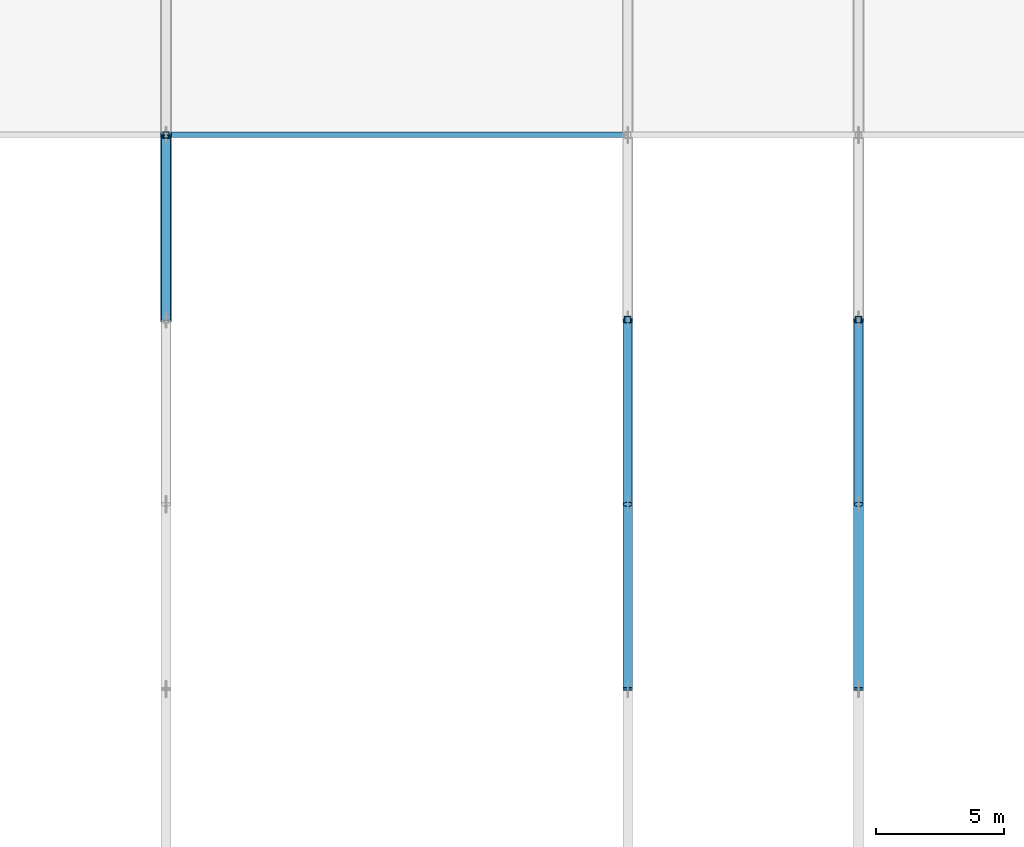
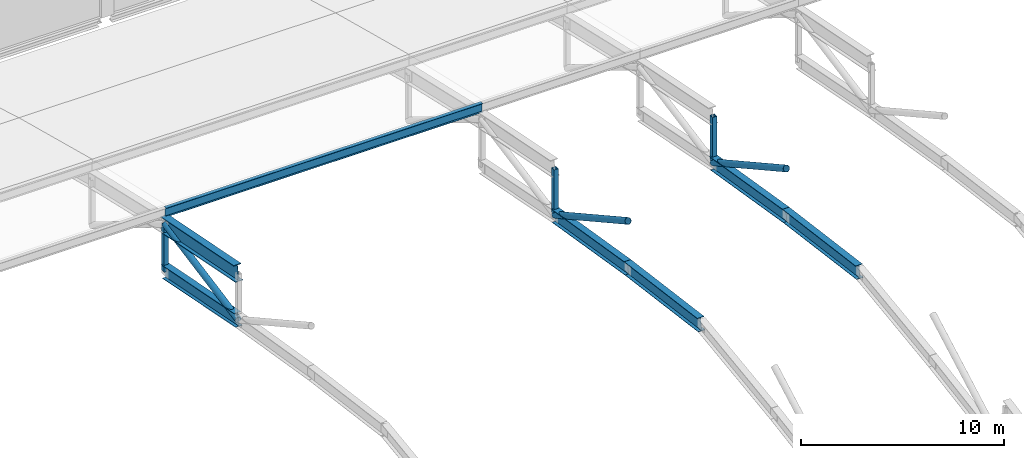
# One storey, part 25 of 124: 13 members.
"""IFC4 building model written with IfcOpenShell, lengths in metres."""

from ifc_helpers import new_model, si_unit, direction, frame, origin, origin_2d, place, context, subcontext, project, spatial, hollow_rectangle, hollow_circle, i_section, extrude, material, material_profile, profile_set, type_object, element, save


model = new_model("IFC4")

# Units and contexts
model_context = context("Model", 3, precision=1e-05, world=origin(), true_north=direction((0.0, 1.0)))
body_context = subcontext(model_context, "Body", "Model", "MODEL_VIEW")
ifc_project = project(units=[si_unit("LENGTHUNIT", "METRE"), si_unit("AREAUNIT", "SQUARE_METRE"), si_unit("VOLUMEUNIT", "CUBIC_METRE"), si_unit("PLANEANGLEUNIT", "RADIAN"), si_unit("MASSUNIT", "GRAM", prefix="KILO")], contexts=[model_context])

# Site, building, storey
site_placement = place(None, origin())
site = spatial("IfcSite", under=ifc_project, at=site_placement, CompositionType="ELEMENT")
building_placement = place(site_placement, origin())
building = spatial("IfcBuilding", under=site, at=building_placement, Name="Celestram Park Convention Centre", CompositionType="ELEMENT")
storey_placement = place(building_placement, frame((0.0, 0.0, 15.300048828125)))
storey = spatial("IfcBuildingStorey", under=building, at=storey_placement, Name="L03", CompositionType="ELEMENT", Elevation=15.300048828125)

# Members
ifc_material_1 = material(Name="Steel ASTM A500 Grade C", Category="steel")
ifc_material_profile_1 = material_profile(ifc_material_1, hollow_circle(Radius=0.177978515625, WallThickness=0.011962890625, at=origin_2d()), Name="CHS356X12")
ifc_profile_set_1 = profile_set([ifc_material_profile_1], Name="Steel ASTM A500 Grade C")
member_type_1 = type_object("IfcMemberType", Name="STR-BRC-CHS356", PredefinedType="BRACE", material=ifc_profile_set_1)
member_1_placement = place(storey_placement, frame((36.0, 79.199951171875, 2.181640625), z_axis=(0.0, 0.982076449011, 0.188483018595), x_axis=(-1.0, 0.0, 0.0)))
element("IfcMember", 1, at=member_1_placement, inside=storey, type_object=member_type_1, Name="V1 arch web diagonal", PredefinedType="BRACE", context=body_context, shape_type="SweptSolid", body=[
    extrude(hollow_circle(Radius=0.177978515625, WallThickness=0.011962890625, at=origin_2d()), origin(), (0.0, 0.0, 1.0), 7.331298828125),
])
for number, where, z_axis, x_axis, name in (
    (2, (54.0, 72.0, 6.170166015625), (0.0, 0.87474706166, -0.484579795407), (-1.0, 0.0, 0.0), "V1 arch web diagonal"),
    (3, (63.0, 72.0, 6.170166015625), (0.0, 0.87474706166, -0.484579795407), (-1.0, 0.0, 0.0), "V1 arch web diagonal"),
):
    element("IfcMember", number, at=place(storey_placement, frame(where, z_axis=z_axis, x_axis=x_axis)), inside=storey, type_object=member_type_1, Name=name, PredefinedType="BRACE", context=body_context, shape_type="SweptSolid", body=[
        extrude(hollow_circle(Radius=0.177978515625, WallThickness=0.011962890625, at=origin_2d()), origin(), (0.0, 0.0, 1.0), 8.23095703125),
    ])
ifc_material_2 = material(Name="Steel ASTM A992 Grade 50", Category="steel")
ifc_material_profile_2 = material_profile(ifc_material_2, i_section(OverallWidth=0.381103515625, OverallDepth=0.77197265625, WebThickness=0.0166015625, FlangeThickness=0.027099609375, at=origin_2d()), Name="W30X173")
ifc_profile_set_2 = profile_set([ifc_material_profile_2], Name="Steel ASTM A992 Grade 50")
member_type_2 = type_object("IfcMemberType", Name="STR-CHD-W30X173", PredefinedType="CHORD", material=ifc_profile_set_2)
member_2_placement = place(storey_placement, frame((36.0, 79.199951171875, 2.181640625), z_axis=(0.0, 0.981147221646, -0.193261815827), x_axis=(-1.0, 0.0, 0.0)))
element("IfcMember", 4, at=member_2_placement, inside=storey, type_object=member_type_2, Name="V1 arch bottom chord", PredefinedType="CHORD", context=body_context, shape_type="SweptSolid", body=[
    extrude(i_section(OverallWidth=0.381103515625, OverallDepth=0.77197265625, WebThickness=0.0166015625, FlangeThickness=0.027099609375, at=origin_2d()), origin(), (0.0, 0.0, 1.0), 7.33837890625),
])
member_3_placement = place(storey_placement, frame((54.0, 64.800048828125, 4.328369140625), z_axis=(0.0, 0.991259283276, -0.131928136952), x_axis=(-1.0, 0.0, 0.0)))
element("IfcMember", 5, at=member_3_placement, inside=storey, type_object=member_type_2, Name="V1 arch bottom chord", PredefinedType="CHORD", context=body_context, shape_type="SweptSolid", body=[
    extrude(i_section(OverallWidth=0.381103515625, OverallDepth=0.77197265625, WebThickness=0.0166015625, FlangeThickness=0.027099609375, at=origin_2d()), origin(), (0.0, 0.0, 1.0), 7.263427734375),
])
member_4_placement = place(storey_placement, frame((54.0, 72.0, 3.3701171875), z_axis=(0.0, 0.986648621514, -0.162863432557), x_axis=(-1.0, 0.0, 0.0)))
element("IfcMember", 6, at=member_4_placement, inside=storey, type_object=member_type_2, Name="V1 arch bottom chord", PredefinedType="CHORD", context=body_context, shape_type="SweptSolid", body=[
    extrude(i_section(OverallWidth=0.381103515625, OverallDepth=0.77197265625, WebThickness=0.0166015625, FlangeThickness=0.027099609375, at=origin_2d()), origin(), (0.0, 0.0, 1.0), 7.29736328125),
])
member_5_placement = place(storey_placement, frame((63.0, 64.800048828125, 4.328369140625), z_axis=(0.0, 0.991259283276, -0.131928136952), x_axis=(-1.0, 0.0, 0.0)))
element("IfcMember", 7, at=member_5_placement, inside=storey, type_object=member_type_2, Name="V1 arch bottom chord", PredefinedType="CHORD", context=body_context, shape_type="SweptSolid", body=[
    extrude(i_section(OverallWidth=0.381103515625, OverallDepth=0.77197265625, WebThickness=0.0166015625, FlangeThickness=0.027099609375, at=origin_2d()), origin(), (0.0, 0.0, 1.0), 7.263427734375),
])
member_6_placement = place(storey_placement, frame((63.0, 72.0, 3.3701171875), z_axis=(0.0, 0.986648621514, -0.162863432557), x_axis=(-1.0, 0.0, 0.0)))
element("IfcMember", 8, at=member_6_placement, inside=storey, type_object=member_type_2, Name="V1 arch bottom chord", PredefinedType="CHORD", context=body_context, shape_type="SweptSolid", body=[
    extrude(i_section(OverallWidth=0.381103515625, OverallDepth=0.77197265625, WebThickness=0.0166015625, FlangeThickness=0.027099609375, at=origin_2d()), origin(), (0.0, 0.0, 1.0), 7.29736328125),
])
ifc_material_profile_3 = material_profile(ifc_material_2, i_section(OverallWidth=0.4189453125, OverallDepth=0.927001953125, WebThickness=0.019287109375, FlangeThickness=0.031982421875, at=origin_2d()), Name="W36X231")
ifc_profile_set_3 = profile_set([ifc_material_profile_3], Name="Steel ASTM A992 Grade 50")
member_type_3 = type_object("IfcMemberType", Name="STR-CHD-W36X231", PredefinedType="CHORD", material=ifc_profile_set_3)
member_7_placement = place(storey_placement, frame((36.0, 79.199951171875, 4.981689453125), z_axis=(0.0, 0.981147221646, -0.193261815827), x_axis=(-1.0, 0.0, 0.0)))
element("IfcMember", 9, at=member_7_placement, inside=storey, type_object=member_type_3, Name="V1 arch top chord", PredefinedType="CHORD", context=body_context, shape_type="SweptSolid", body=[
    extrude(i_section(OverallWidth=0.4189453125, OverallDepth=0.927001953125, WebThickness=0.019287109375, FlangeThickness=0.031982421875, at=origin_2d()), origin(), (0.0, 0.0, 1.0), 7.33837890625),
])
ifc_material_profile_4 = material_profile(ifc_material_2, i_section(OverallWidth=0.2099609375, OverallDepth=0.532958984375, WebThickness=0.01025390625, FlangeThickness=0.015625, at=origin_2d()), Name="W21X62")
ifc_profile_set_4 = profile_set([ifc_material_profile_4], Name="Steel ASTM A992 Grade 50")
member_type_4 = type_object("IfcMemberType", Name="STR-RFT-W21X62", PredefinedType="RAFTER", material=ifc_profile_set_4)
member_8_placement = place(storey_placement, frame((36.0, 86.39990234375, 4.29345703125), z_axis=(1.0, 0.0, 0.0), x_axis=(0.0, 1.0, 0.0)))
element("IfcMember", 10, at=member_8_placement, inside=storey, type_object=member_type_4, Name="V1 roof purlin", PredefinedType="RAFTER", context=body_context, shape_type="SweptSolid", body=[
    extrude(i_section(OverallWidth=0.2099609375, OverallDepth=0.532958984375, WebThickness=0.01025390625, FlangeThickness=0.015625, at=origin_2d()), origin(), (0.0, 0.0, 1.0), 18.0),
])
ifc_material_profile_5 = material_profile(ifc_material_1, hollow_rectangle(XDim=0.25, YDim=0.25, WallThickness=0.011962890625, at=origin_2d()), Name="HSS250X250X12")
ifc_profile_set_5 = profile_set([ifc_material_profile_5], Name="Steel ASTM A500 Grade C")
member_type_5 = type_object("IfcMemberType", Name="STR-STR-HSS250", PredefinedType="STRUT", material=ifc_profile_set_5)
for number, where, z_axis, x_axis, name in (
    (11, (36.0, 86.39990234375, 0.763427734375), (0.0, 0.0, 1.0), (1.0, 0.0, 0.0), "V1 arch vertical strut"),
    (12, (54.0, 79.199951171875, 2.181640625), (0.0, 0.0, 1.0), (1.0, 0.0, 0.0), "V1 arch vertical strut"),
    (13, (63.0, 79.199951171875, 2.181640625), (0.0, 0.0, 1.0), (1.0, 0.0, 0.0), "V1 arch vertical strut"),
):
    element("IfcMember", number, at=place(storey_placement, frame(where, z_axis=z_axis, x_axis=x_axis)), inside=storey, type_object=member_type_5, Name=name, PredefinedType="STRUT", context=body_context, shape_type="SweptSolid", body=[
        extrude(hollow_rectangle(XDim=0.25, YDim=0.25, WallThickness=0.011962890625, at=origin_2d()), origin(), (0.0, 0.0, 1.0), 2.800048828125),
    ])

save(model, "model.ifc")
